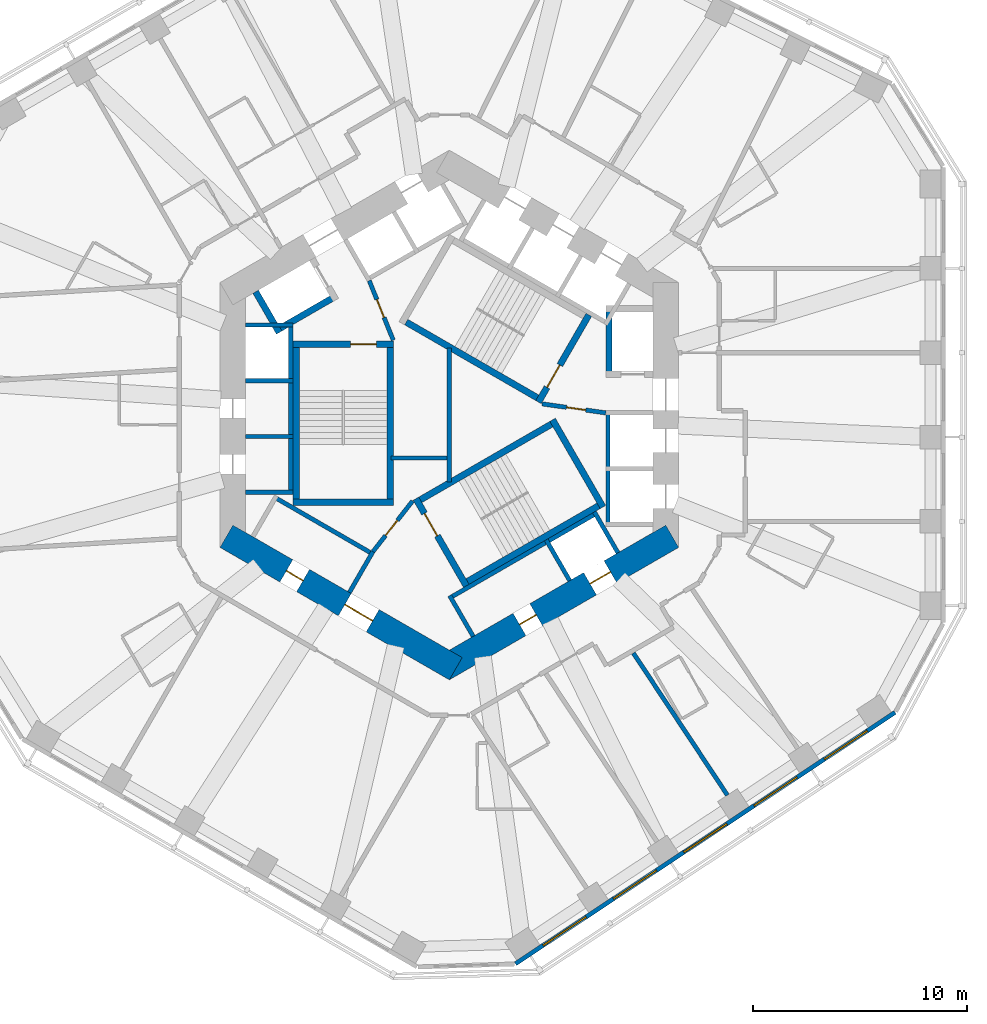
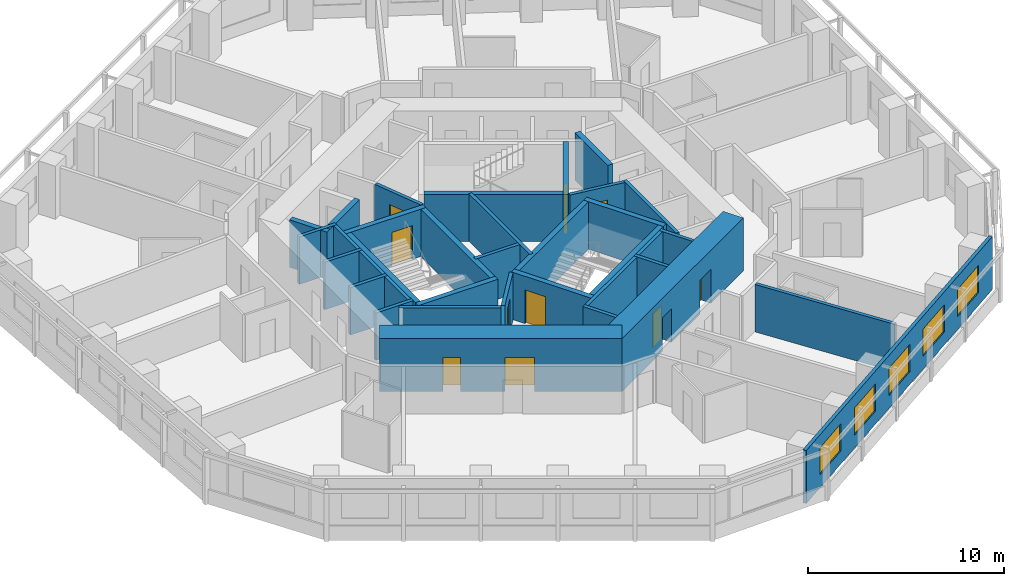
# One storey, part 5 of 12: 34 walls, 10 doors, 5 windows, 15 openings.
"""IFC4 building model written with IfcOpenShell, lengths in metres."""

from ifc_helpers import new_model, si_unit, direction, frame, frame_2d, origin, place, context, subcontext, project, spatial, rectangle, extrude, material, layer, layer_set, type_object, element, fill, save


model = new_model("IFC4")

# Units and contexts
model_context = context("Model", 3, precision=1e-05, world=origin(), true_north=direction((0.0, 1.0)))
body_context = subcontext(model_context, "Body", "Model", "MODEL_VIEW")
ifc_project = project(units=[si_unit("LENGTHUNIT", "METRE"), si_unit("AREAUNIT", "SQUARE_METRE"), si_unit("VOLUMEUNIT", "CUBIC_METRE"), si_unit("PLANEANGLEUNIT", "RADIAN"), si_unit("MASSUNIT", "GRAM", prefix="KILO")], contexts=[model_context])

# Site, building, storey
site_placement = place(None, origin())
site = spatial("IfcSite", under=ifc_project, at=site_placement, CompositionType="ELEMENT")
building_placement = place(site_placement, origin())
building = spatial("IfcBuilding", under=site, at=building_placement, Name="Vanh Sen Convention Tower", CompositionType="ELEMENT")
storey_placement = place(building_placement, frame((0.0, 0.0, 116.60009765625)))
storey = spatial("IfcBuildingStorey", under=building, at=storey_placement, Name="L28", CompositionType="ELEMENT", Elevation=116.60009765625)

# Wall, openings, doors
ifc_material_1 = material(Name="Concrete C80/95", Category="concrete")
ifc_layer_1 = layer(ifc_material_1, 1.199951171875)
ifc_layer_set_1 = layer_set([ifc_layer_1], Name="Concrete C80/95")
wall_type_1 = type_object("IfcWallType", Name="Core outer wall 1200 C80/95", PredefinedType="SHEAR", material=ifc_layer_set_1)
wall_1_placement = place(storey_placement, frame((-10.39990234375, -5.657958984375, 0.0), z_axis=(0.0, 0.0, 1.0), x_axis=(0.866021384402, -0.500006961711, 0.0)))
wall_1 = element("IfcWall", 1, at=wall_1_placement, inside=storey, type_object=wall_type_1, Name="Core wall face SW L28", PredefinedType="SHEAR", context=body_context, shape_type="SweptSolid", body=[
    extrude(rectangle(XDim=12.355224609375, YDim=1.199951171875, at=frame_2d((6.177734375, 0.0))), origin(), (0.0, 0.0, 1.0), 3.2998046875),
])
opening_1_placement = place(wall_1_placement, frame((6.377685546875, 0.0, 0.0)))
opening_1 = element("IfcOpeningElement", 2, at=opening_1_placement, cuts=wall_1, Name="Opening D27003", PredefinedType="OPENING", context=body_context, shape_type="SweptSolid", body=[
    extrude(rectangle(XDim=1.5, YDim=2.10009765625, at=frame_2d((0.75, 1.050048828125))), frame((0.0, 0.60986328125, 0.0), z_axis=(0.0, -1.0, 0.0), x_axis=(1.0, 0.0, 0.0)), (0.0, 0.0, 1.0), 1.219970703125),
])
opening_2_placement = place(wall_1_placement, frame((3.227783203125, 0.0, 0.0)))
opening_2 = element("IfcOpeningElement", 3, at=opening_2_placement, cuts=wall_1, Name="Opening D27012", PredefinedType="OPENING", context=body_context, shape_type="SweptSolid", body=[
    extrude(rectangle(XDim=0.89990234375, YDim=2.10009765625, at=frame_2d((0.449951171875, 1.050048828125))), frame((0.0, 0.60986328125, 0.0), z_axis=(0.0, -1.0, 0.0), x_axis=(1.0, 0.0, 0.0)), (0.0, 0.0, 1.0), 1.219970703125),
])
ifc_material_2 = material(Name="Steel S355", Category="steel")
door_type_1 = type_object("IfcDoorType", Name="Plant door 900", OperationType="SINGLE_SWING_LEFT", PredefinedType="DOOR", material=ifc_material_2)
door_1_placement = place(opening_2_placement, origin())
door_1 = element("IfcDoor", 4, at=door_1_placement, inside=storey, type_object=door_type_1, Name="Plant door D27012", OperationType="SINGLE_SWING_LEFT", OverallHeight=2.10009765625, OverallWidth=0.89990234375, PredefinedType="DOOR", context=body_context, shape_type="SweptSolid", body=[
    extrude(rectangle(XDim=0.89990234375, YDim=2.10009765625, at=frame_2d((0.449951171875, 1.050048828125))), frame((0.0, 0.02490234375, 0.0), z_axis=(0.0, -1.0, 0.0), x_axis=(1.0, 0.0, 0.0)), (0.0, 0.0, 1.0), 0.050048828125),
])
fill(opening_2, door_1)
door_type_2 = type_object("IfcDoorType", Name="Stair lobby door 1500", OperationType="DOUBLE_DOOR_SINGLE_SWING", PredefinedType="DOOR", material=ifc_material_2)
door_2_placement = place(opening_1_placement, origin())
door_2 = element("IfcDoor", 5, at=door_2_placement, inside=storey, type_object=door_type_2, Name="Stair lobby door D27003", OperationType="DOUBLE_DOOR_SINGLE_SWING", OverallHeight=2.10009765625, OverallWidth=1.5, PredefinedType="DOOR", context=body_context, shape_type="SweptSolid", body=[
    extrude(rectangle(XDim=1.5, YDim=2.10009765625, at=frame_2d((0.75, 1.050048828125))), frame((0.0, 0.02490234375, 0.0), z_axis=(0.0, -1.0, 0.0), x_axis=(1.0, 0.0, 0.0)), (0.0, 0.0, 1.0), 0.050048828125),
])
fill(opening_1, door_2)

wall_2_placement = place(storey_placement, frame((-0.300048828125, -11.835693359375, 0.0), z_axis=(0.0, 0.0, 1.0), x_axis=(0.866021384402, 0.500006961711, 0.0)))
wall_2 = element("IfcWall", 6, at=wall_2_placement, inside=storey, type_object=wall_type_1, Name="Core wall face SE L28", PredefinedType="SHEAR", context=body_context, shape_type="SweptSolid", body=[
    extrude(rectangle(XDim=12.355224609375, YDim=1.199951171875, at=frame_2d((6.177734375, 0.0))), origin(), (0.0, 0.0, 1.0), 3.2998046875),
])
opening_3_placement = place(wall_2_placement, frame((4.127685546875, 0.0, 0.0)))
opening_3 = element("IfcOpeningElement", 7, at=opening_3_placement, cuts=wall_2, Name="Opening D27013", PredefinedType="OPENING", context=body_context, shape_type="SweptSolid", body=[
    extrude(rectangle(XDim=0.89990234375, YDim=2.10009765625, at=frame_2d((0.449951171875, 1.050048828125))), frame((0.0, 0.60986328125, 0.0), z_axis=(0.0, -1.0, 0.0), x_axis=(1.0, 0.0, 0.0)), (0.0, 0.0, 1.0), 1.219970703125),
])
opening_4_placement = place(wall_2_placement, frame((7.927734375, 0.0, 0.0)))
opening_4 = element("IfcOpeningElement", 8, at=opening_4_placement, cuts=wall_2, Name="Opening LD-SV1", PredefinedType="OPENING", context=body_context, shape_type="SweptSolid", body=[
    extrude(rectangle(XDim=1.10009765625, YDim=2.10009765625, at=frame_2d((0.550048828125, 1.050048828125))), frame((0.0, 0.60986328125, 0.0), z_axis=(0.0, -1.0, 0.0), x_axis=(1.0, 0.0, 0.0)), (0.0, 0.0, 1.0), 1.219970703125),
])
ifc_material_3 = material(Name="Stainless steel", Category="steel")
door_type_3 = type_object("IfcDoorType", Name="Lift landing door 1100", OperationType="DOUBLE_DOOR_SLIDING", PredefinedType="DOOR", material=ifc_material_3)
door_3_placement = place(opening_4_placement, origin())
door_3 = element("IfcDoor", 9, at=door_3_placement, inside=storey, type_object=door_type_3, Name="Lift SV1 landing door LD-SV1", OperationType="DOUBLE_DOOR_SLIDING", OverallHeight=2.10009765625, OverallWidth=1.10009765625, PredefinedType="DOOR", context=body_context, shape_type="SweptSolid", body=[
    extrude(rectangle(XDim=1.10009765625, YDim=2.10009765625, at=frame_2d((0.550048828125, 1.050048828125))), frame((0.0, 0.02490234375, 0.0), z_axis=(0.0, -1.0, 0.0), x_axis=(1.0, 0.0, 0.0)), (0.0, 0.0, 1.0), 0.050048828125),
])
fill(opening_4, door_3)
door_4_placement = place(opening_3_placement, origin())
door_4 = element("IfcDoor", 10, at=door_4_placement, inside=storey, type_object=door_type_1, Name="Plant door D27013", OperationType="SINGLE_SWING_LEFT", OverallHeight=2.10009765625, OverallWidth=0.89990234375, PredefinedType="DOOR", context=body_context, shape_type="SweptSolid", body=[
    extrude(rectangle(XDim=0.89990234375, YDim=2.10009765625, at=frame_2d((0.449951171875, 1.050048828125))), frame((0.0, 0.02490234375, 0.0), z_axis=(0.0, -1.0, 0.0), x_axis=(1.0, 0.0, 0.0)), (0.0, 0.0, 1.0), 0.050048828125),
])
fill(opening_3, door_4)

# Walls
ifc_material_4 = material(Name="Masonry blockwork", Category="masonry")
ifc_layer_2 = layer(ifc_material_4, 0.199951171875)
ifc_layer_set_2 = layer_set([ifc_layer_2], Name="Masonry blockwork")
wall_type_2 = type_object("IfcWallType", Name="Core partition 200", PredefinedType="PARTITIONING", material=ifc_layer_set_2)
wall_3_placement = place(storey_placement, frame((-2.719970703125, -2.0, 0.0), z_axis=(0.0, 0.0, 1.0), x_axis=(1.0, 0.0, 0.0)))
element("IfcWall", 11, at=wall_3_placement, inside=storey, type_object=wall_type_2, Name="Core partition L28", PredefinedType="PARTITIONING", context=body_context, shape_type="SweptSolid", body=[
    extrude(rectangle(XDim=2.619873046875, YDim=0.199951171875, at=frame_2d((1.31005859375, 0.0))), origin(), (0.0, 0.0, 1.0), 2.949951171875),
])
wall_4_placement = place(storey_placement, frame((0.0, -3.122314453125, 0.0), z_axis=(0.0, 0.0, 1.0), x_axis=(0.0, 1.0, 0.0)))
element("IfcWall", 12, at=wall_4_placement, inside=storey, type_object=wall_type_2, Name="Core partition L28", PredefinedType="PARTITIONING", context=body_context, shape_type="SweptSolid", body=[
    extrude(rectangle(XDim=6.24462890625, YDim=0.199951171875, at=frame_2d((3.122314453125, 0.0))), origin(), (0.0, 0.0, 1.0), 2.949951171875),
])

# Wall, openings, windows
ifc_material_5 = material(Name="Insulated lightweight infill wall")
ifc_layer_3 = layer(ifc_material_5, 0.199951171875)
ifc_layer_set_3 = layer_set([ifc_layer_3], Name="Insulated lightweight infill wall")
wall_type_3 = type_object("IfcWallType", Name="External wall 200", PredefinedType="STANDARD", material=ifc_layer_set_3)
wall_5_placement = place(storey_placement, frame((3.0830078125, -25.60107421875, 0.0), z_axis=(0.0, 0.0, 1.0), x_axis=(0.833884295743, 0.551939291329, 0.0)))
wall_5 = element("IfcWall", 13, at=wall_5_placement, inside=storey, type_object=wall_type_3, Name="External wall SE L28", PredefinedType="STANDARD", context=body_context, shape_type="SweptSolid", body=[
    extrude(rectangle(XDim=21.24609375, YDim=0.199951171875, at=frame_2d((10.623046875, 0.0))), origin(), (0.0, 0.0, 1.0), 3.2998046875),
])
opening_5_placement = place(wall_5_placement, frame((1.552978515625, 0.0, 0.800048828125)))
opening_5 = element("IfcOpeningElement", 14, at=opening_5_placement, cuts=wall_5, Name="Opening WH1-SE1", PredefinedType="OPENING", context=body_context, shape_type="SweptSolid", body=[
    extrude(rectangle(XDim=2.39990234375, YDim=1.699951171875, at=frame_2d((1.199951171875, 0.85009765625))), frame((0.0, 0.10986328125, 0.0), z_axis=(0.0, -1.0, 0.0), x_axis=(1.0, 0.0, 0.0)), (0.0, 0.0, 1.0), 0.219970703125),
])
opening_6_placement = place(wall_5_placement, frame((5.487548828125, 0.0, 0.800048828125)))
opening_6 = element("IfcOpeningElement", 15, at=opening_6_placement, cuts=wall_5, Name="Opening WH1-SE2", PredefinedType="OPENING", context=body_context, shape_type="SweptSolid", body=[
    extrude(rectangle(XDim=2.39990234375, YDim=1.699951171875, at=frame_2d((1.199951171875, 0.85009765625))), frame((0.0, 0.10986328125, 0.0), z_axis=(0.0, -1.0, 0.0), x_axis=(1.0, 0.0, 0.0)), (0.0, 0.0, 1.0), 0.219970703125),
])
opening_7_placement = place(wall_5_placement, frame((9.422119140625, 0.0, 0.800048828125)))
opening_7 = element("IfcOpeningElement", 16, at=opening_7_placement, cuts=wall_5, Name="Opening WH1-SE3", PredefinedType="OPENING", context=body_context, shape_type="SweptSolid", body=[
    extrude(rectangle(XDim=2.39990234375, YDim=1.699951171875, at=frame_2d((1.199951171875, 0.85009765625))), frame((0.0, 0.10986328125, 0.0), z_axis=(0.0, -1.0, 0.0), x_axis=(1.0, 0.0, 0.0)), (0.0, 0.0, 1.0), 0.219970703125),
])
opening_8_placement = place(wall_5_placement, frame((13.356689453125, 0.0, 0.800048828125)))
opening_8 = element("IfcOpeningElement", 17, at=opening_8_placement, cuts=wall_5, Name="Opening WH1-SE4", PredefinedType="OPENING", context=body_context, shape_type="SweptSolid", body=[
    extrude(rectangle(XDim=2.39990234375, YDim=1.699951171875, at=frame_2d((1.199951171875, 0.85009765625))), frame((0.0, 0.10986328125, 0.0), z_axis=(0.0, -1.0, 0.0), x_axis=(1.0, 0.0, 0.0)), (0.0, 0.0, 1.0), 0.219970703125),
])
opening_9_placement = place(wall_5_placement, frame((17.291259765625, 0.0, 0.800048828125)))
opening_9 = element("IfcOpeningElement", 18, at=opening_9_placement, cuts=wall_5, Name="Opening WH1-SE5", PredefinedType="OPENING", context=body_context, shape_type="SweptSolid", body=[
    extrude(rectangle(XDim=2.39990234375, YDim=1.699951171875, at=frame_2d((1.199951171875, 0.85009765625))), frame((0.0, 0.10986328125, 0.0), z_axis=(0.0, -1.0, 0.0), x_axis=(1.0, 0.0, 0.0)), (0.0, 0.0, 1.0), 0.219970703125),
])
ifc_material_6 = material(Name="Aluminium frame with clear low-emissivity glass", Category="aluminium")
window_type = type_object("IfcWindowType", Name="Hotel window 2400 x 1700", PartitioningType="SINGLE_PANEL", PredefinedType="WINDOW", material=ifc_material_6)
window_1_placement = place(opening_5_placement, origin())
window_1 = element("IfcWindow", 19, at=window_1_placement, inside=storey, type_object=window_type, Name="Window WH1-SE1", OverallHeight=1.699951171875, OverallWidth=2.39990234375, PartitioningType="SINGLE_PANEL", PredefinedType="WINDOW", context=body_context, shape_type="SweptSolid", body=[
    extrude(rectangle(XDim=2.39990234375, YDim=1.699951171875, at=frame_2d((1.199951171875, 0.85009765625))), frame((0.0, 0.030029296875, 0.0), z_axis=(0.0, -1.0, 0.0), x_axis=(1.0, 0.0, 0.0)), (0.0, 0.0, 1.0), 0.06005859375),
])
fill(opening_5, window_1)
window_2_placement = place(opening_6_placement, origin())
window_2 = element("IfcWindow", 20, at=window_2_placement, inside=storey, type_object=window_type, Name="Window WH1-SE2", OverallHeight=1.699951171875, OverallWidth=2.39990234375, PartitioningType="SINGLE_PANEL", PredefinedType="WINDOW", context=body_context, shape_type="SweptSolid", body=[
    extrude(rectangle(XDim=2.39990234375, YDim=1.699951171875, at=frame_2d((1.199951171875, 0.85009765625))), frame((0.0, 0.030029296875, 0.0), z_axis=(0.0, -1.0, 0.0), x_axis=(1.0, 0.0, 0.0)), (0.0, 0.0, 1.0), 0.06005859375),
])
fill(opening_6, window_2)
window_3_placement = place(opening_7_placement, origin())
window_3 = element("IfcWindow", 21, at=window_3_placement, inside=storey, type_object=window_type, Name="Window WH1-SE3", OverallHeight=1.699951171875, OverallWidth=2.39990234375, PartitioningType="SINGLE_PANEL", PredefinedType="WINDOW", context=body_context, shape_type="SweptSolid", body=[
    extrude(rectangle(XDim=2.39990234375, YDim=1.699951171875, at=frame_2d((1.199951171875, 0.85009765625))), frame((0.0, 0.030029296875, 0.0), z_axis=(0.0, -1.0, 0.0), x_axis=(1.0, 0.0, 0.0)), (0.0, 0.0, 1.0), 0.06005859375),
])
fill(opening_7, window_3)
window_4_placement = place(opening_8_placement, origin())
window_4 = element("IfcWindow", 22, at=window_4_placement, inside=storey, type_object=window_type, Name="Window WH1-SE4", OverallHeight=1.699951171875, OverallWidth=2.39990234375, PartitioningType="SINGLE_PANEL", PredefinedType="WINDOW", context=body_context, shape_type="SweptSolid", body=[
    extrude(rectangle(XDim=2.39990234375, YDim=1.699951171875, at=frame_2d((1.199951171875, 0.85009765625))), frame((0.0, 0.030029296875, 0.0), z_axis=(0.0, -1.0, 0.0), x_axis=(1.0, 0.0, 0.0)), (0.0, 0.0, 1.0), 0.06005859375),
])
fill(opening_8, window_4)
window_5_placement = place(opening_9_placement, origin())
window_5 = element("IfcWindow", 23, at=window_5_placement, inside=storey, type_object=window_type, Name="Window WH1-SE5", OverallHeight=1.699951171875, OverallWidth=2.39990234375, PartitioningType="SINGLE_PANEL", PredefinedType="WINDOW", context=body_context, shape_type="SweptSolid", body=[
    extrude(rectangle(XDim=2.39990234375, YDim=1.699951171875, at=frame_2d((1.199951171875, 0.85009765625))), frame((0.0, 0.030029296875, 0.0), z_axis=(0.0, -1.0, 0.0), x_axis=(1.0, 0.0, 0.0)), (0.0, 0.0, 1.0), 0.06005859375),
])
fill(opening_9, window_5)

# Walls
ifc_material_7 = material(Name="Concrete C60/75", Category="concrete")
ifc_layer_4 = layer(ifc_material_7, 0.300048828125)
ifc_layer_set_4 = layer_set([ifc_layer_4], Name="Concrete C60/75")
wall_type_4 = type_object("IfcWallType", Name="Fire-fighting lift shaft wall 300", PredefinedType="SHEAR", material=ifc_layer_set_4)
wall_6_placement = place(storey_placement, frame((7.449951171875, 1.75, 0.0), z_axis=(0.0, 0.0, 1.0), x_axis=(0.0, 1.0, 0.0)))
element("IfcWall", 24, at=wall_6_placement, inside=storey, type_object=wall_type_4, Name="Fire-fighting lift shaft wall L28", PredefinedType="SHEAR", context=body_context, shape_type="SweptSolid", body=[
    extrude(rectangle(XDim=3.35009765625, YDim=0.300048828125, at=frame_2d((1.675048828125, 0.0))), origin(), (0.0, 0.0, 1.0), 2.949951171875),
])
wall_7_placement = place(storey_placement, frame((-5.240478515625, 5.576904296875, 0.0), z_axis=(0.0, 0.0, 1.0), x_axis=(-0.866014461049, -0.500018952895, 0.0)))
element("IfcWall", 25, at=wall_7_placement, inside=storey, type_object=wall_type_4, Name="Fire-fighting lift shaft wall L28", PredefinedType="SHEAR", context=body_context, shape_type="SweptSolid", body=[
    extrude(rectangle(XDim=3.349853515625, YDim=0.300048828125, at=frame_2d((1.6748046875, 0.0))), origin(), (0.0, 0.0, 1.0), 2.949951171875),
])
wall_8_placement = place(storey_placement, frame((-7.936767578125, 3.846923828125, 0.0), z_axis=(0.0, 0.0, 1.0), x_axis=(-0.50002983664, 0.866008176907, 0.0)))
element("IfcWall", 26, at=wall_8_placement, inside=storey, type_object=wall_type_4, Name="Fire-fighting lift shaft wall L28", PredefinedType="SHEAR", context=body_context, shape_type="SweptSolid", body=[
    extrude(rectangle(XDim=2.199951171875, YDim=0.300048828125, at=frame_2d((1.10009765625, 0.0))), origin(), (0.0, 0.0, 1.0), 2.949951171875),
])
ifc_material_8 = material(Name="Gypsum board on steel studs with mineral wool", Category="steel")
ifc_layer_5 = layer(ifc_material_8, 0.199951171875)
ifc_layer_set_5 = layer_set([ifc_layer_5], Name="Gypsum board on steel studs with mineral wool")
wall_type_5 = type_object("IfcWallType", Name="Hotel party wall 200", PredefinedType="PARTITIONING", material=ifc_layer_set_5)
wall_9_placement = place(storey_placement, frame((12.973876953125, -17.7353515625, 0.0), z_axis=(0.0, 0.0, 1.0), x_axis=(-0.55192625685, 0.833892922982, 0.0)))
element("IfcWall", 27, at=wall_9_placement, inside=storey, type_object=wall_type_5, Name="Hotel party wall 200", PredefinedType="PARTITIONING", context=body_context, shape_type="SweptSolid", body=[
    extrude(rectangle(XDim=7.9501953125, YDim=0.199951171875, at=frame_2d((3.97509765625, 0.0))), origin(), (0.0, 0.0, 1.0), 2.949951171875),
])
ifc_material_9 = material(Name="Concrete C40/50", Category="concrete")
ifc_layer_6 = layer(ifc_material_9, 0.199951171875)
ifc_layer_set_6 = layer_set([ifc_layer_6], Name="Concrete C40/50")
wall_type_6 = type_object("IfcWallType", Name="Lift shaft wall 200", PredefinedType="PARTITIONING", material=ifc_layer_set_6)
wall_10_placement = place(storey_placement, frame((7.39990234375, -5.199951171875, 0.0), z_axis=(0.0, 0.0, 1.0), x_axis=(0.0, 1.0, 0.0)))
element("IfcWall", 28, at=wall_10_placement, inside=storey, type_object=wall_type_6, Name="Lift shaft wall L28", PredefinedType="PARTITIONING", context=body_context, shape_type="SweptSolid", body=[
    extrude(rectangle(XDim=5.39990234375, YDim=0.199951171875, at=frame_2d((2.699951171875, 0.0))), origin(), (0.0, 0.0, 1.0), 2.949951171875),
])
wall_11_placement = place(storey_placement, frame((-7.39990234375, 4.300048828125, 0.0), z_axis=(0.0, 0.0, 1.0), x_axis=(0.0, -1.0, 0.0)))
element("IfcWall", 29, at=wall_11_placement, inside=storey, type_object=wall_type_6, Name="Lift shaft wall L28", PredefinedType="PARTITIONING", context=body_context, shape_type="SweptSolid", body=[
    extrude(rectangle(XDim=8.0, YDim=0.199951171875, at=frame_2d((4.0, 0.0))), origin(), (0.0, 0.0, 1.0), 2.949951171875),
])
for number, where, z_axis, x_axis, name in (
    (30, (-7.300048828125, 4.199951171875, 0.0), (0.0, 0.0, 1.0), (-1.0, 0.0, 0.0), "Lift shaft wall L28"),
    (31, (-7.300048828125, 1.60009765625, 0.0), (0.0, 0.0, 1.0), (-1.0, 0.0, 0.0), "Lift shaft wall L28"),
    (32, (-7.300048828125, -1.0, 0.0), (0.0, 0.0, 1.0), (-1.0, 0.0, 0.0), "Lift shaft wall L28"),
    (33, (-7.300048828125, -3.60009765625, 0.0), (0.0, 0.0, 1.0), (-1.0, 0.0, 0.0), "Lift shaft wall L28"),
):
    element("IfcWall", number, at=place(storey_placement, frame(where, z_axis=z_axis, x_axis=x_axis)), inside=storey, type_object=wall_type_6, Name=name, PredefinedType="PARTITIONING", context=body_context, shape_type="SweptSolid", body=[
        extrude(rectangle(XDim=2.199951171875, YDim=0.199951171875, at=frame_2d((1.10009765625, 0.0))), origin(), (0.0, 0.0, 1.0), 2.949951171875),
    ])
wall_12_placement = place(storey_placement, frame((-8.203369140625, -3.80859375, 0.0), z_axis=(0.0, 0.0, 1.0), x_axis=(0.866028230842, -0.499995103361, 0.0)))
element("IfcWall", 34, at=wall_12_placement, inside=storey, type_object=wall_type_6, Name="Lift shaft wall L28", PredefinedType="PARTITIONING", context=body_context, shape_type="SweptSolid", body=[
    extrude(rectangle(XDim=5.39990234375, YDim=0.199951171875, at=frame_2d((2.699951171875, 0.0))), origin(), (0.0, 0.0, 1.0), 2.949951171875),
])
wall_13_placement = place(storey_placement, frame((-3.5634765625, -6.3720703125, 0.0), z_axis=(0.0, 0.0, 1.0), x_axis=(-0.499994660107, -0.866028486751, 0.0)))
element("IfcWall", 35, at=wall_13_placement, inside=storey, type_object=wall_type_6, Name="Lift shaft wall L28", PredefinedType="PARTITIONING", context=body_context, shape_type="SweptSolid", body=[
    extrude(rectangle(XDim=2.19970703125, YDim=0.199951171875, at=frame_2d((1.099853515625, 0.0))), origin(), (0.0, 0.0, 1.0), 2.949951171875),
])
wall_14_placement = place(storey_placement, frame((-0.02392578125, -8.55859375, 0.0), z_axis=(0.0, 0.0, 1.0), x_axis=(0.866026010844, 0.49999894854, 0.0)))
element("IfcWall", 36, at=wall_14_placement, inside=storey, type_object=wall_type_6, Name="Lift shaft wall L28", PredefinedType="PARTITIONING", context=body_context, shape_type="SweptSolid", body=[
    extrude(rectangle(XDim=8.0, YDim=0.199951171875, at=frame_2d((4.0, 0.0))), origin(), (0.0, 0.0, 1.0), 2.949951171875),
])
for number, where, z_axis, x_axis, name in (
    (37, (0.0126953125, -8.422119140625, 0.0), (0.0, 0.0, 1.0), (0.500077893725, -0.86598042715, 0.0), "Lift shaft wall L28"),
    (38, (4.51611328125, -5.822021484375, 0.0), (0.0, 0.0, 1.0), (0.499946605688, -0.86605622881, 0.0), "Lift shaft wall L28"),
    (39, (6.767578125, -4.52197265625, 0.0), (0.0, 0.0, 1.0), (0.50002983664, -0.866008176907, 0.0), "Lift shaft wall L28"),
):
    element("IfcWall", number, at=place(storey_placement, frame(where, z_axis=z_axis, x_axis=x_axis)), inside=storey, type_object=wall_type_6, Name=name, PredefinedType="PARTITIONING", context=body_context, shape_type="SweptSolid", body=[
        extrude(rectangle(XDim=2.199951171875, YDim=0.199951171875, at=frame_2d((1.10009765625, 0.0))), origin(), (0.0, 0.0, 1.0), 2.949951171875),
    ])

# Wall, opening, door
ifc_layer_7 = layer(ifc_material_9, 0.199951171875)
ifc_layer_set_7 = layer_set([ifc_layer_7], Name="Concrete C40/50")
wall_type_7 = type_object("IfcWallType", Name="Stair lobby wall 200", PredefinedType="PARTITIONING", material=ifc_layer_set_7)
wall_15_placement = place(storey_placement, frame((4.327392578125, 0.52099609375, 0.0), z_axis=(0.0, 0.0, 1.0), x_axis=(0.990124376366, -0.14019172346, 0.0)))
wall_15 = element("IfcWall", 40, at=wall_15_placement, inside=storey, type_object=wall_type_7, Name="Stair lobby wall L28", PredefinedType="PARTITIONING", context=body_context, shape_type="SweptSolid", body=[
    extrude(rectangle(XDim=3.002197265625, YDim=0.199951171875, at=frame_2d((1.5009765625, 0.0))), origin(), (0.0, 0.0, 1.0), 2.949951171875),
])
opening_10_placement = place(wall_15_placement, frame((1.14990234375, 0.0, 0.0)))
opening_10 = element("IfcOpeningElement", 41, at=opening_10_placement, cuts=wall_15, Name="Opening D27007", PredefinedType="OPENING", context=body_context, shape_type="SweptSolid", body=[
    extrude(rectangle(XDim=0.89990234375, YDim=2.10009765625, at=frame_2d((0.449951171875, 1.050048828125))), frame((0.0, 0.10986328125, 0.0), z_axis=(0.0, -1.0, 0.0), x_axis=(1.0, 0.0, 0.0)), (0.0, 0.0, 1.0), 0.219970703125),
])
door_5_placement = place(opening_10_placement, origin())
door_5 = element("IfcDoor", 42, at=door_5_placement, inside=storey, type_object=door_type_1, Name="Plant door D27007", OperationType="SINGLE_SWING_LEFT", OverallHeight=2.10009765625, OverallWidth=0.89990234375, PredefinedType="DOOR", context=body_context, shape_type="SweptSolid", body=[
    extrude(rectangle(XDim=0.89990234375, YDim=2.10009765625, at=frame_2d((0.449951171875, 1.050048828125))), frame((0.0, 0.02490234375, 0.0), z_axis=(0.0, -1.0, 0.0), x_axis=(1.0, 0.0, 0.0)), (0.0, 0.0, 1.0), 0.050048828125),
])
fill(opening_10, door_5)

wall_16_placement = place(storey_placement, frame((-2.614990234375, 3.487060546875, 0.0), z_axis=(0.0, 0.0, 1.0), x_axis=(-0.373576831041, 0.92759924068, 0.0)))
wall_16 = element("IfcWall", 43, at=wall_16_placement, inside=storey, type_object=wall_type_7, Name="Stair lobby wall L28", PredefinedType="PARTITIONING", context=body_context, shape_type="SweptSolid", body=[
    extrude(rectangle(XDim=3.002197265625, YDim=0.199951171875, at=frame_2d((1.5009765625, 0.0))), origin(), (0.0, 0.0, 1.0), 2.949951171875),
])
opening_11_placement = place(wall_16_placement, frame((1.14990234375, 0.0, 0.0)))
opening_11 = element("IfcOpeningElement", 44, at=opening_11_placement, cuts=wall_16, Name="Opening D27008", PredefinedType="OPENING", context=body_context, shape_type="SweptSolid", body=[
    extrude(rectangle(XDim=0.89990234375, YDim=2.10009765625, at=frame_2d((0.449951171875, 1.050048828125))), frame((0.0, 0.10986328125, 0.0), z_axis=(0.0, -1.0, 0.0), x_axis=(1.0, 0.0, 0.0)), (0.0, 0.0, 1.0), 0.219970703125),
])
door_6_placement = place(opening_11_placement, origin())
door_6 = element("IfcDoor", 45, at=door_6_placement, inside=storey, type_object=door_type_1, Name="Plant door D27008", OperationType="SINGLE_SWING_LEFT", OverallHeight=2.10009765625, OverallWidth=0.89990234375, PredefinedType="DOOR", context=body_context, shape_type="SweptSolid", body=[
    extrude(rectangle(XDim=0.89990234375, YDim=2.10009765625, at=frame_2d((0.449951171875, 1.050048828125))), frame((0.0, 0.02490234375, 0.0), z_axis=(0.0, -1.0, 0.0), x_axis=(1.0, 0.0, 0.0)), (0.0, 0.0, 1.0), 0.050048828125),
])
fill(opening_11, door_6)

wall_17_placement = place(storey_placement, frame((-1.71240234375, -4.00830078125, 0.0), z_axis=(0.0, 0.0, 1.0), x_axis=(-0.616549420702, -0.787316208287, 0.0)))
wall_17 = element("IfcWall", 46, at=wall_17_placement, inside=storey, type_object=wall_type_7, Name="Stair lobby wall L28", PredefinedType="PARTITIONING", context=body_context, shape_type="SweptSolid", body=[
    extrude(rectangle(XDim=3.002197265625, YDim=0.199951171875, at=frame_2d((1.5009765625, 0.0))), origin(), (0.0, 0.0, 1.0), 2.949951171875),
])
opening_12_placement = place(wall_17_placement, frame((1.14990234375, 0.0, 0.0)))
opening_12 = element("IfcOpeningElement", 47, at=opening_12_placement, cuts=wall_17, Name="Opening D27009", PredefinedType="OPENING", context=body_context, shape_type="SweptSolid", body=[
    extrude(rectangle(XDim=0.89990234375, YDim=2.10009765625, at=frame_2d((0.449951171875, 1.050048828125))), frame((0.0, 0.10986328125, 0.0), z_axis=(0.0, -1.0, 0.0), x_axis=(1.0, 0.0, 0.0)), (0.0, 0.0, 1.0), 0.219970703125),
])
door_7_placement = place(opening_12_placement, origin())
door_7 = element("IfcDoor", 48, at=door_7_placement, inside=storey, type_object=door_type_1, Name="Plant door D27009", OperationType="SINGLE_SWING_LEFT", OverallHeight=2.10009765625, OverallWidth=0.89990234375, PredefinedType="DOOR", context=body_context, shape_type="SweptSolid", body=[
    extrude(rectangle(XDim=0.89990234375, YDim=2.10009765625, at=frame_2d((0.449951171875, 1.050048828125))), frame((0.0, 0.02490234375, 0.0), z_axis=(0.0, -1.0, 0.0), x_axis=(1.0, 0.0, 0.0)), (0.0, 0.0, 1.0), 0.050048828125),
])
fill(opening_12, door_7)

ifc_layer_8 = layer(ifc_material_7, 0.300048828125)
ifc_layer_set_8 = layer_set([ifc_layer_8], Name="Concrete C60/75")
wall_type_8 = type_object("IfcWallType", Name="Stair wall 300", PredefinedType="SHEAR", material=ifc_layer_set_8)
wall_18_placement = place(storey_placement, frame((4.157958984375, 0.601806640625, 0.0), z_axis=(0.0, 0.0, 1.0), x_axis=(0.499977259774, 0.866038532462, 0.0)))
wall_18 = element("IfcWall", 49, at=wall_18_placement, inside=storey, type_object=wall_type_8, Name="Stair wall L28", PredefinedType="SHEAR", context=body_context, shape_type="SweptSolid", body=[
    extrude(rectangle(XDim=4.699951171875, YDim=0.300048828125, at=frame_2d((2.35009765625, 0.0))), origin(), (0.0, 0.0, 1.0), 2.949951171875),
])
opening_13_placement = place(wall_18_placement, frame((0.800048828125, 0.0, 0.0)))
opening_13 = element("IfcOpeningElement", 50, at=opening_13_placement, cuts=wall_18, Name="Opening D27004", PredefinedType="OPENING", context=body_context, shape_type="SweptSolid", body=[
    extrude(rectangle(XDim=1.199951171875, YDim=2.10009765625, at=frame_2d((0.60009765625, 1.050048828125))), frame((0.0, 0.159912109375, 0.0), z_axis=(0.0, -1.0, 0.0), x_axis=(1.0, 0.0, 0.0)), (0.0, 0.0, 1.0), 0.320068359375),
])
door_type_4 = type_object("IfcDoorType", Name="Stair door 1200", OperationType="SINGLE_SWING_RIGHT", PredefinedType="DOOR", material=ifc_material_2)
door_8_placement = place(opening_13_placement, origin())
door_8 = element("IfcDoor", 51, at=door_8_placement, inside=storey, type_object=door_type_4, Name="Stair ST1 door D27004", OperationType="SINGLE_SWING_RIGHT", OverallHeight=2.10009765625, OverallWidth=1.199951171875, PredefinedType="DOOR", context=body_context, shape_type="SweptSolid", body=[
    extrude(rectangle(XDim=1.199951171875, YDim=2.10009765625, at=frame_2d((0.60009765625, 1.050048828125))), frame((0.0, 0.02490234375, 0.0), z_axis=(0.0, -1.0, 0.0), x_axis=(1.0, 0.0, 0.0)), (0.0, 0.0, 1.0), 0.050048828125),
])
fill(opening_13, door_8)

# Wall
wall_19_placement = place(storey_placement, frame((4.10302734375, 0.806640625, 0.0), z_axis=(0.0, 0.0, 1.0), x_axis=(-0.866027801685, 0.499995846692, 0.0)))
element("IfcWall", 52, at=wall_19_placement, inside=storey, type_object=wall_type_8, Name="Stair wall L28", PredefinedType="SHEAR", context=body_context, shape_type="SweptSolid", body=[
    extrude(rectangle(XDim=7.06005859375, YDim=0.300048828125, at=frame_2d((3.530029296875, 0.0))), origin(), (0.0, 0.0, 1.0), 2.949951171875),
])

# Wall, opening, door
wall_20_placement = place(storey_placement, frame((-2.60009765625, 3.300048828125, 0.0), z_axis=(0.0, 0.0, 1.0), x_axis=(-1.0, 0.0, 0.0)))
wall_20 = element("IfcWall", 53, at=wall_20_placement, inside=storey, type_object=wall_type_8, Name="Stair wall L28", PredefinedType="SHEAR", context=body_context, shape_type="SweptSolid", body=[
    extrude(rectangle(XDim=4.699951171875, YDim=0.300048828125, at=frame_2d((2.35009765625, 0.0))), origin(), (0.0, 0.0, 1.0), 2.949951171875),
])
opening_14_placement = place(wall_20_placement, frame((0.800048828125, 0.0, 0.0)))
opening_14 = element("IfcOpeningElement", 54, at=opening_14_placement, cuts=wall_20, Name="Opening D27005", PredefinedType="OPENING", context=body_context, shape_type="SweptSolid", body=[
    extrude(rectangle(XDim=1.199951171875, YDim=2.10009765625, at=frame_2d((0.60009765625, 1.050048828125))), frame((0.0, 0.159912109375, 0.0), z_axis=(0.0, -1.0, 0.0), x_axis=(1.0, 0.0, 0.0)), (0.0, 0.0, 1.0), 0.320068359375),
])
door_9_placement = place(opening_14_placement, origin())
door_9 = element("IfcDoor", 55, at=door_9_placement, inside=storey, type_object=door_type_4, Name="Stair ST2 door D27005", OperationType="SINGLE_SWING_RIGHT", OverallHeight=2.10009765625, OverallWidth=1.199951171875, PredefinedType="DOOR", context=body_context, shape_type="SweptSolid", body=[
    extrude(rectangle(XDim=1.199951171875, YDim=2.10009765625, at=frame_2d((0.60009765625, 1.050048828125))), frame((0.0, 0.02490234375, 0.0), z_axis=(0.0, -1.0, 0.0), x_axis=(1.0, 0.0, 0.0)), (0.0, 0.0, 1.0), 0.050048828125),
])
fill(opening_14, door_9)

# Walls
wall_21_placement = place(storey_placement, frame((-2.60009765625, -4.06005859375, 0.0), z_axis=(0.0, 0.0, 1.0), x_axis=(-1.0, 0.0, 0.0)))
element("IfcWall", 56, at=wall_21_placement, inside=storey, type_object=wall_type_8, Name="Stair wall L28", PredefinedType="SHEAR", context=body_context, shape_type="SweptSolid", body=[
    extrude(rectangle(XDim=4.699951171875, YDim=0.300048828125, at=frame_2d((2.35009765625, 0.0))), origin(), (0.0, 0.0, 1.0), 2.949951171875),
])
for number, where, z_axis, x_axis, name in (
    (57, (-2.75, 3.14990234375, 0.0), (0.0, 0.0, 1.0), (0.0, -1.0, 0.0), "Stair wall L28"),
    (58, (-7.14990234375, 3.14990234375, 0.0), (0.0, 0.0, 1.0), (0.0, -1.0, 0.0), "Stair wall L28"),
):
    element("IfcWall", number, at=place(storey_placement, frame(where, z_axis=z_axis, x_axis=x_axis)), inside=storey, type_object=wall_type_8, Name=name, PredefinedType="SHEAR", context=body_context, shape_type="SweptSolid", body=[
        extrude(rectangle(XDim=7.059814453125, YDim=0.300048828125, at=frame_2d((3.52978515625, 0.0))), origin(), (0.0, 0.0, 1.0), 2.949951171875),
    ])

# Wall, opening, door
wall_22_placement = place(storey_placement, frame((-1.557861328125, -3.901611328125, 0.0), z_axis=(0.0, 0.0, 1.0), x_axis=(0.499977259774, -0.866038532462, 0.0)))
wall_22 = element("IfcWall", 59, at=wall_22_placement, inside=storey, type_object=wall_type_8, Name="Stair wall L28", PredefinedType="SHEAR", context=body_context, shape_type="SweptSolid", body=[
    extrude(rectangle(XDim=4.699951171875, YDim=0.300048828125, at=frame_2d((2.35009765625, 0.0))), origin(), (0.0, 0.0, 1.0), 2.949951171875),
])
opening_15_placement = place(wall_22_placement, frame((0.800048828125, 0.0, 0.0)))
opening_15 = element("IfcOpeningElement", 60, at=opening_15_placement, cuts=wall_22, Name="Opening D27006", PredefinedType="OPENING", context=body_context, shape_type="SweptSolid", body=[
    extrude(rectangle(XDim=1.199951171875, YDim=2.10009765625, at=frame_2d((0.60009765625, 1.050048828125))), frame((0.0, 0.159912109375, 0.0), z_axis=(0.0, -1.0, 0.0), x_axis=(1.0, 0.0, 0.0)), (0.0, 0.0, 1.0), 0.320068359375),
])
door_10_placement = place(opening_15_placement, origin())
door_10 = element("IfcDoor", 61, at=door_10_placement, inside=storey, type_object=door_type_4, Name="Stair ST3 door D27006", OperationType="SINGLE_SWING_RIGHT", OverallHeight=2.10009765625, OverallWidth=1.199951171875, PredefinedType="DOOR", context=body_context, shape_type="SweptSolid", body=[
    extrude(rectangle(XDim=1.199951171875, YDim=2.10009765625, at=frame_2d((0.60009765625, 1.050048828125))), frame((0.0, 0.02490234375, 0.0), z_axis=(0.0, -1.0, 0.0), x_axis=(1.0, 0.0, 0.0)), (0.0, 0.0, 1.0), 0.050048828125),
])
fill(opening_15, door_10)

# Walls
wall_23_placement = place(storey_placement, frame((4.816162109375, -0.2216796875, 0.0), z_axis=(0.0, 0.0, 1.0), x_axis=(0.499977259774, -0.866038532462, 0.0)))
element("IfcWall", 62, at=wall_23_placement, inside=storey, type_object=wall_type_8, Name="Stair wall L28", PredefinedType="SHEAR", context=body_context, shape_type="SweptSolid", body=[
    extrude(rectangle(XDim=4.699951171875, YDim=0.300048828125, at=frame_2d((2.35009765625, 0.0))), origin(), (0.0, 0.0, 1.0), 2.949951171875),
])
for number, where, z_axis, x_axis, name in (
    (63, (-1.35302734375, -3.95654296875, 0.0), (0.0, 0.0, 1.0), (0.866027801685, 0.499995846692, 0.0), "Stair wall L28"),
    (64, (0.846923828125, -7.76708984375, 0.0), (0.0, 0.0, 1.0), (0.866027801685, 0.499995846692, 0.0), "Stair wall L28"),
):
    element("IfcWall", number, at=place(storey_placement, frame(where, z_axis=z_axis, x_axis=x_axis)), inside=storey, type_object=wall_type_8, Name=name, PredefinedType="SHEAR", context=body_context, shape_type="SweptSolid", body=[
        extrude(rectangle(XDim=7.06005859375, YDim=0.300048828125, at=frame_2d((3.530029296875, 0.0))), origin(), (0.0, 0.0, 1.0), 2.949951171875),
    ])

save(model, "model.ifc")
